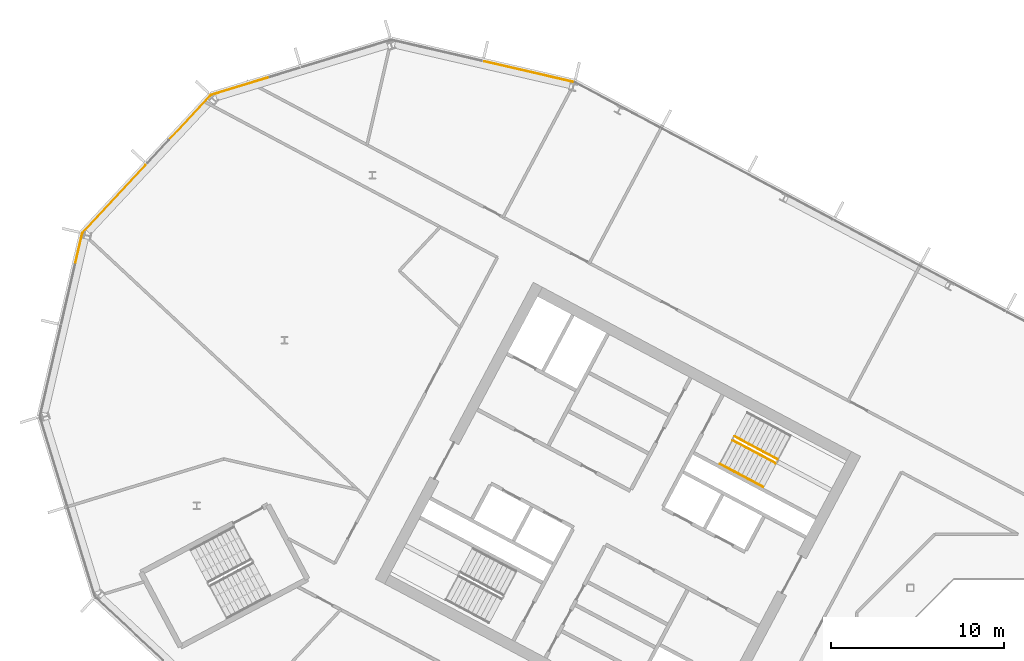
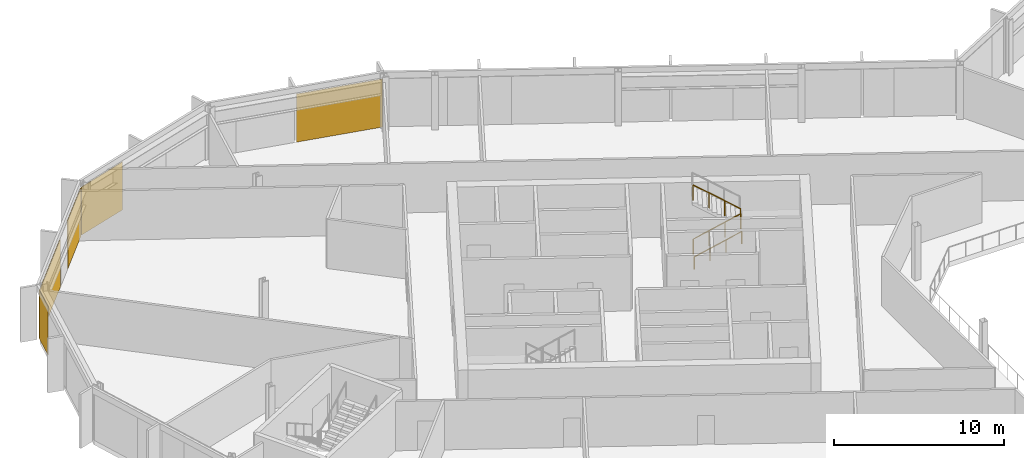
# One storey, part 22 of 27: 5 coverings, 3 railings, 4 elements without a shape of their own.
"""IFC4 building model written with IfcOpenShell, lengths in metres."""

from ifc_helpers import new_model, si_unit, direction, frame, origin, origin_2d, place, context, subcontext, project, spatial, polyline, rectangle, outline, extrude, material, layer, layer_set, type_object, element, aggregate, save


model = new_model("IFC4")

# Units and contexts
model_context = context("Model", 3, precision=1e-05, world=origin(), true_north=direction((0.0, 1.0)))
body_context = subcontext(model_context, "Body", "Model", "MODEL_VIEW")
ifc_project = project(units=[si_unit("LENGTHUNIT", "METRE"), si_unit("AREAUNIT", "SQUARE_METRE"), si_unit("VOLUMEUNIT", "CUBIC_METRE"), si_unit("PLANEANGLEUNIT", "RADIAN"), si_unit("MASSUNIT", "GRAM", prefix="KILO")], contexts=[model_context])

# Site, building, storey
site_placement = place(None, origin())
site = spatial("IfcSite", under=ifc_project, at=site_placement, CompositionType="ELEMENT")
building_placement = place(site_placement, origin())
building = spatial("IfcBuilding", under=site, at=building_placement, Name="Cormorant Relay Tower", CompositionType="ELEMENT")
storey_placement = place(building_placement, frame((0.0, 0.0, 224.699951171875)))
storey = spatial("IfcBuildingStorey", under=building, at=storey_placement, Name="L49", CompositionType="ELEMENT", Elevation=224.699951171875)

# Curtain wall, covering
ifc_material_1 = material(Name="Aluminium 6063-T6 anodised bronze", Category="aluminium")
ifc_layer_1 = layer(ifc_material_1, 0.199951171875)
ifc_layer_set_1 = layer_set([ifc_layer_1], Name="CW1 unitised bronze curtain wall with vertical fins")
curtain_wall_type = type_object("IfcCurtainWallType", Name="CW1 unitised bronze curtain wall with vertical fins", PredefinedType="NOTDEFINED", material=ifc_layer_set_1)
curtain_wall_1_placement = place(storey_placement, origin())
curtain_wall_1 = element("IfcCurtainWall", 1, at=curtain_wall_1_placement, inside=storey, type_object=curtain_wall_type, Name="CW1 curtain wall 10", PredefinedType="NOTDEFINED")
ifc_material_2 = material(Name="Pale bronze anodised aluminium insulated panel", Category="aluminium")
ifc_layer_2 = layer(ifc_material_2, 0.0400390625)
ifc_layer_set_2 = layer_set([ifc_layer_2], Name="CW1 pale bronze insulated panel 40")
covering_type = type_object("IfcCoveringType", Name="CW1 pale bronze insulated panel 40", PredefinedType="CLADDING", material=ifc_layer_set_2)
covering_1_placement = place(storey_placement, frame((-32.51708984375, 40.298828125, 0.0), z_axis=(0.0, 0.0, 1.0), x_axis=(-0.974370064785, 0.224951054344, 0.0)))
covering_1 = element("IfcCovering", 2, at=covering_1_placement, type_object=covering_type, Name="CW1 panel S00", PredefinedType="CLADDING", context=body_context, shape_type="SweptSolid", body=[
    extrude(rectangle(XDim=5.28515625, YDim=0.0400390625, at=origin_2d()), origin(), (0.0, 0.0, 1.0), 3.449951171875),
])
aggregate(curtain_wall_1, [covering_1])

curtain_wall_2_placement = place(storey_placement, origin())
curtain_wall_2 = element("IfcCurtainWall", 3, at=curtain_wall_2_placement, inside=storey, type_object=curtain_wall_type, Name="CW1 curtain wall 11", PredefinedType="NOTDEFINED")
covering_2_placement = place(storey_placement, frame((-49.16455078125, 39.474853515625, 0.0), z_axis=(0.0, 0.0, 1.0), x_axis=(-0.956304755963, -0.292371704723, 0.0)))
covering_2 = element("IfcCovering", 4, at=covering_2_placement, type_object=covering_type, Name="CW1 panel S03", PredefinedType="CLADDING", context=body_context, shape_type="SweptSolid", body=[
    extrude(rectangle(XDim=3.560302734375, YDim=0.0400390625, at=origin_2d()), origin(), (0.0, 0.0, 1.0), 3.449951171875),
])
aggregate(curtain_wall_2, [covering_2])

# Curtain wall, coverings
curtain_wall_3_placement = place(storey_placement, origin())
curtain_wall_3 = element("IfcCurtainWall", 5, at=curtain_wall_3_placement, inside=storey, type_object=curtain_wall_type, Name="CW1 curtain wall 12", PredefinedType="NOTDEFINED")
covering_3_placement = place(storey_placement, frame((-52.115234375, 37.61962890625, 0.0), z_axis=(0.0, 0.0, 1.0), x_axis=(-0.681998360062, -0.731353701619, 0.0)))
covering_3 = element("IfcCovering", 6, at=covering_3_placement, type_object=covering_type, Name="CW1 panel S00", PredefinedType="CLADDING", context=body_context, shape_type="SweptSolid", body=[
    extrude(rectangle(XDim=3.485107421875, YDim=0.0400390625, at=origin_2d()), origin(), (0.0, 0.0, 1.0), 3.449951171875),
])
covering_4_placement = place(storey_placement, frame((-56.461181640625, 32.958984375, 0.0), z_axis=(0.0, 0.0, 1.0), x_axis=(-0.681998360062, -0.731353701619, 0.0)))
covering_4 = element("IfcCovering", 7, at=covering_4_placement, type_object=covering_type, Name="CW1 panel S02", PredefinedType="CLADDING", context=body_context, shape_type="SweptSolid", body=[
    extrude(rectangle(XDim=5.360107421875, YDim=0.0400390625, at=origin_2d()), origin(), (0.0, 0.0, 1.0), 3.449951171875),
])
aggregate(curtain_wall_3, [covering_3, covering_4])

# Curtain wall, covering
curtain_wall_4_placement = place(storey_placement, origin())
curtain_wall_4 = element("IfcCurtainWall", 8, at=curtain_wall_4_placement, inside=storey, type_object=curtain_wall_type, Name="CW1 curtain wall 13", PredefinedType="NOTDEFINED")
covering_5_placement = place(storey_placement, frame((-58.50048828125, 30.095458984375, 0.0), z_axis=(0.0, 0.0, 1.0), x_axis=(-0.224951054344, -0.974370064785, 0.0)))
covering_5 = element("IfcCovering", 9, at=covering_5_placement, type_object=covering_type, Name="CW1 panel S00", PredefinedType="CLADDING", context=body_context, shape_type="SweptSolid", body=[
    extrude(rectangle(XDim=1.685302734375, YDim=0.0400390625, at=origin_2d()), origin(), (0.0, 0.0, 1.0), 3.449951171875),
])
aggregate(curtain_wall_4, [covering_5])

# Railings
ifc_material_3 = material(Name="Steel ASTM A572 Grade 50 (Fy 345 MPa)", Category="steel")
railing_type_1 = type_object("IfcRailingType", Name="Stair guard 1100", PredefinedType="GUARDRAIL", material=ifc_material_3)
railing_1_placement = place(storey_placement, frame((-20.75048828125, 19.017822265625, 0.17724609375)))
element("IfcRailing", 10, at=railing_1_placement, inside=storey, type_object=railing_type_1, Name="L49 A1 stair guard 1", PredefinedType="GUARDRAIL", context=body_context, shape_type="SweptSolid", body=[
    extrude(outline(polyline([(0.022216796875, 0.00927734375), (0.00927734375, 0.022216796875), (-0.00927734375, 0.022216796875), (-0.022216796875, 0.00927734375), (-0.022216796875, -0.00927734375), (-0.00927734375, -0.022216796875), (0.00927734375, -0.022216796875), (0.022216796875, -0.00927734375), (0.022216796875, 0.00927734375)])), frame((0.0, 0.0, 1.076171875), z_axis=(0.746001213114, -0.396649272309, 0.534931345884), x_axis=(0.469465464807, 0.882950835185, 0.0)), (0.0, 0.0, 1.0), 3.31396484375),
    extrude(outline(polyline([(0.019287109375, 0.008056640625), (0.008056640625, 0.019287109375), (-0.008056640625, 0.019287109375), (-0.019287109375, 0.008056640625), (-0.019287109375, -0.008056640625), (-0.008056640625, -0.019287109375), (0.008056640625, -0.019287109375), (0.019287109375, -0.008056640625), (0.019287109375, 0.008056640625)])), origin(), (0.0, 0.0, 1.0), 1.052001953125),
    extrude(outline(polyline([(0.019287109375, 0.008056640625), (0.008056640625, 0.019287109375), (-0.008056640625, 0.019287109375), (-0.019287109375, 0.008056640625), (-0.019287109375, -0.008056640625), (-0.008056640625, -0.019287109375), (0.008056640625, -0.019287109375), (0.019287109375, -0.008056640625), (0.019287109375, 0.008056640625)])), frame((0.823974609375, -0.438232421875, 0.5908203125)), (0.0, 0.0, 1.0), 1.052001953125),
    extrude(outline(polyline([(0.019287109375, 0.008056640625), (0.008056640625, 0.019287109375), (-0.008056640625, 0.019287109375), (-0.019287109375, 0.008056640625), (-0.019287109375, -0.008056640625), (-0.008056640625, -0.019287109375), (0.008056640625, -0.019287109375), (0.019287109375, -0.008056640625), (0.019287109375, 0.008056640625)])), frame((1.648193359375, -0.876220703125, 1.181884765625)), (0.0, 0.0, 1.0), 1.052001953125),
    extrude(outline(polyline([(0.019287109375, 0.008056640625), (0.008056640625, 0.019287109375), (-0.008056640625, 0.019287109375), (-0.019287109375, 0.008056640625), (-0.019287109375, -0.008056640625), (-0.008056640625, -0.019287109375), (0.008056640625, -0.019287109375), (0.019287109375, -0.008056640625), (0.019287109375, 0.008056640625)])), frame((2.47216796875, -1.314453125, 1.772705078125)), (0.0, 0.0, 1.0), 1.052001953125),
])
railing_2_placement = place(storey_placement, frame((-18.160888671875, 17.924072265625, 2.12744140625)))
element("IfcRailing", 11, at=railing_2_placement, inside=storey, type_object=railing_type_1, Name="L49 A1 stair guard 3", PredefinedType="GUARDRAIL", context=body_context, shape_type="SweptSolid", body=[
    extrude(outline(polyline([(0.022216796875, 0.00927734375), (0.00927734375, 0.022216796875), (-0.00927734375, 0.022216796875), (-0.022216796875, 0.00927734375), (-0.022216796875, -0.00927734375), (-0.00927734375, -0.022216796875), (0.00927734375, -0.022216796875), (0.022216796875, -0.00927734375), (0.022216796875, 0.00927734375)])), frame((0.0, 0.0, 1.076171875), z_axis=(-0.746033882577, 0.396627473466, 0.534901947407), x_axis=(-0.469429322983, -0.882970050864, 0.0)), (0.0, 0.0, 1.0), 3.31396484375),
    extrude(outline(polyline([(0.019287109375, 0.008056640625), (0.008056640625, 0.019287109375), (-0.008056640625, 0.019287109375), (-0.019287109375, 0.008056640625), (-0.019287109375, -0.008056640625), (-0.008056640625, -0.019287109375), (0.008056640625, -0.019287109375), (0.019287109375, -0.008056640625), (0.019287109375, 0.008056640625)])), origin(), (0.0, 0.0, 1.0), 1.052001953125),
    extrude(outline(polyline([(0.019287109375, 0.008056640625), (0.008056640625, 0.019287109375), (-0.008056640625, 0.019287109375), (-0.019287109375, 0.008056640625), (-0.019287109375, -0.008056640625), (-0.008056640625, -0.019287109375), (0.008056640625, -0.019287109375), (0.019287109375, -0.008056640625), (0.019287109375, 0.008056640625)])), frame((-0.82421875, 0.438232421875, 0.5908203125)), (0.0, 0.0, 1.0), 1.052001953125),
    extrude(outline(polyline([(0.019287109375, 0.008056640625), (0.008056640625, 0.019287109375), (-0.008056640625, 0.019287109375), (-0.019287109375, 0.008056640625), (-0.019287109375, -0.008056640625), (-0.008056640625, -0.019287109375), (0.008056640625, -0.019287109375), (0.019287109375, -0.008056640625), (0.019287109375, 0.008056640625)])), frame((-1.648193359375, 0.876220703125, 1.181884765625)), (0.0, 0.0, 1.0), 1.052001953125),
    extrude(outline(polyline([(0.019287109375, 0.008056640625), (0.008056640625, 0.019287109375), (-0.008056640625, 0.019287109375), (-0.019287109375, 0.008056640625), (-0.019287109375, -0.008056640625), (-0.008056640625, -0.019287109375), (0.008056640625, -0.019287109375), (0.019287109375, -0.008056640625), (0.019287109375, 0.008056640625)])), frame((-2.472412109375, 1.314453125, 1.772705078125)), (0.0, 0.0, 1.0), 1.052001953125),
])
ifc_material_4 = material(Name="Steel ASTM A572 Grade 50 (Fy 345 MPa)", Category="steel")
railing_type_2 = type_object("IfcRailingType", Name="Stair handrail 900", PredefinedType="HANDRAIL", material=ifc_material_4)
railing_3_placement = place(storey_placement, frame((-21.478271484375, 17.6494140625, 0.17724609375)))
element("IfcRailing", 12, at=railing_3_placement, inside=storey, type_object=railing_type_2, Name="L49 A1 stair handrail 1", PredefinedType="HANDRAIL", context=body_context, shape_type="SweptSolid", body=[
    extrude(outline(polyline([(0.022216796875, 0.00927734375), (0.00927734375, 0.022216796875), (-0.00927734375, 0.022216796875), (-0.022216796875, 0.00927734375), (-0.022216796875, -0.00927734375), (-0.00927734375, -0.022216796875), (0.00927734375, -0.022216796875), (0.022216796875, -0.00927734375), (0.022216796875, 0.00927734375)])), frame((0.0, 0.0, 0.8759765625), z_axis=(0.746012083385, -0.396689549623, 0.534886317514), x_axis=(0.469497295046, 0.882933910293, 0.0)), (0.0, 0.0, 1.0), 3.314208984375),
    extrude(outline(polyline([(0.019287109375, 0.008056640625), (0.008056640625, 0.019287109375), (-0.008056640625, 0.019287109375), (-0.019287109375, 0.008056640625), (-0.019287109375, -0.008056640625), (-0.008056640625, -0.019287109375), (0.008056640625, -0.019287109375), (0.019287109375, -0.008056640625), (0.019287109375, 0.008056640625)])), origin(), (0.0, 0.0, 1.0), 0.851806640625),
    extrude(outline(polyline([(0.019287109375, 0.008056640625), (0.008056640625, 0.019287109375), (-0.008056640625, 0.019287109375), (-0.019287109375, 0.008056640625), (-0.019287109375, -0.008056640625), (-0.008056640625, -0.019287109375), (0.008056640625, -0.019287109375), (0.019287109375, -0.008056640625), (0.019287109375, 0.008056640625)])), frame((0.82421875, -0.438232421875, 0.5908203125)), (0.0, 0.0, 1.0), 0.851806640625),
    extrude(outline(polyline([(0.019287109375, 0.008056640625), (0.008056640625, 0.019287109375), (-0.008056640625, 0.019287109375), (-0.019287109375, 0.008056640625), (-0.019287109375, -0.008056640625), (-0.008056640625, -0.019287109375), (0.008056640625, -0.019287109375), (0.019287109375, -0.008056640625), (0.019287109375, 0.008056640625)])), frame((1.648193359375, -0.87646484375, 1.181884765625)), (0.0, 0.0, 1.0), 0.851806640625),
    extrude(outline(polyline([(0.019287109375, 0.008056640625), (0.008056640625, 0.019287109375), (-0.008056640625, 0.019287109375), (-0.019287109375, 0.008056640625), (-0.019287109375, -0.008056640625), (-0.008056640625, -0.019287109375), (0.008056640625, -0.019287109375), (0.019287109375, -0.008056640625), (0.019287109375, 0.008056640625)])), frame((2.472412109375, -1.314697265625, 1.772705078125)), (0.0, 0.0, 1.0), 0.851806640625),
])

save(model, "model.ifc")
